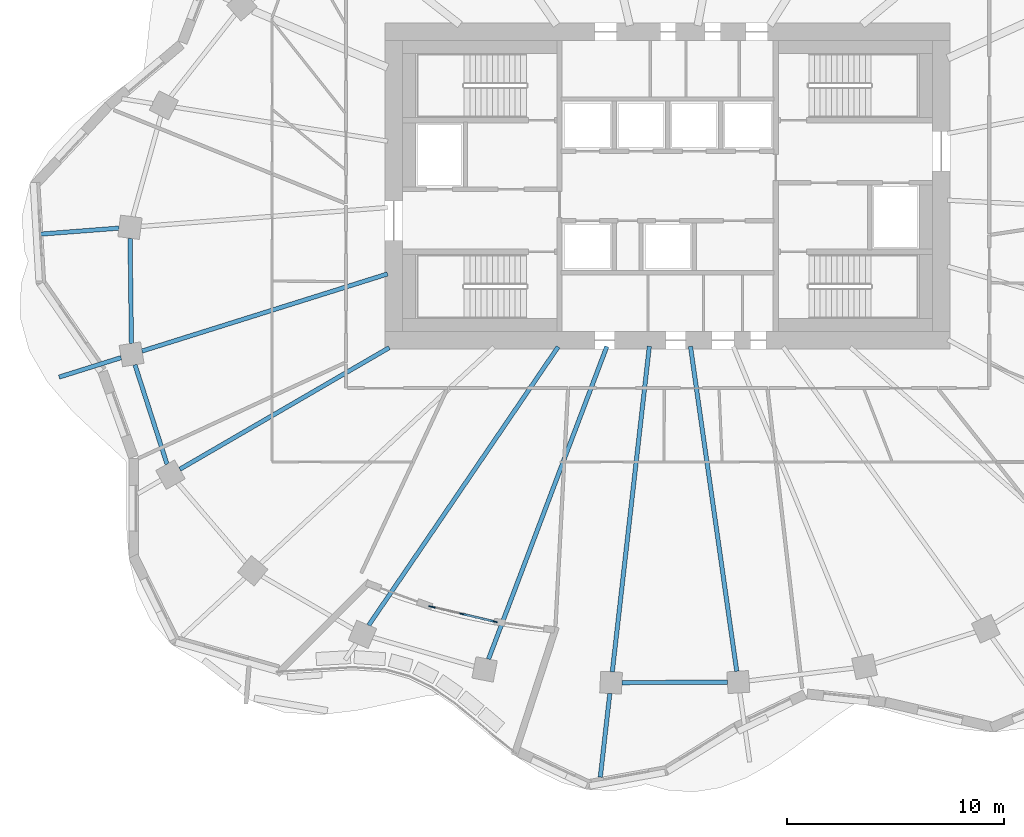
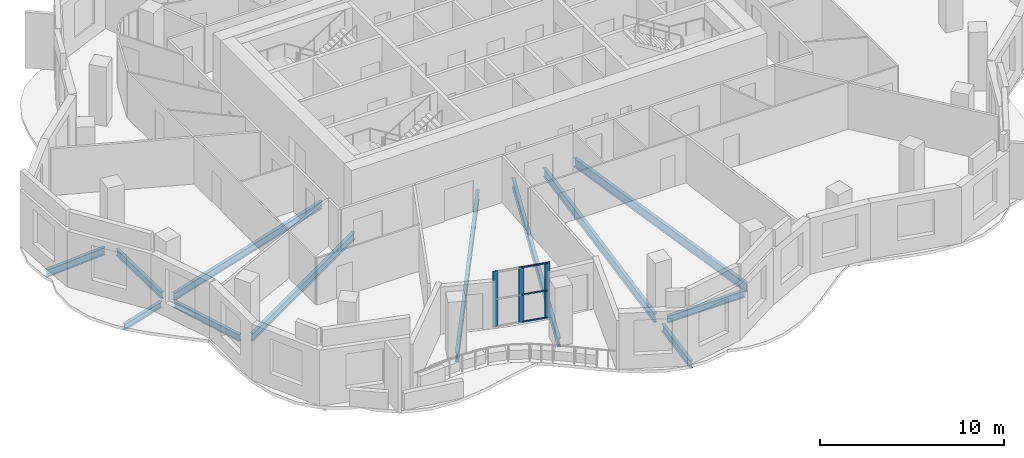
# One storey, part 2 of 13: 12 beams, 6 members, 1 element without a shape of its own.
"""IFC4 building model written with IfcOpenShell, lengths in metres."""

from ifc_helpers import new_model, si_unit, direction, frame, origin, origin_2d, place, context, subcontext, project, spatial, rectangle, i_section, extrude, material, material_profile, profile_set, type_object, element, aggregate, save


model = new_model("IFC4")

# Units and contexts
model_context = context("Model", 3, precision=1e-05, world=origin(), true_north=direction((0.0, 1.0)))
body_context = subcontext(model_context, "Body", "Model", "MODEL_VIEW")
ifc_project = project(units=[si_unit("LENGTHUNIT", "METRE"), si_unit("AREAUNIT", "SQUARE_METRE"), si_unit("VOLUMEUNIT", "CUBIC_METRE"), si_unit("PLANEANGLEUNIT", "RADIAN"), si_unit("MASSUNIT", "GRAM", prefix="KILO")], contexts=[model_context])

# Site, building, storey
site_placement = place(None, origin())
site = spatial("IfcSite", under=ifc_project, at=site_placement, CompositionType="ELEMENT")
building_placement = place(site_placement, origin())
building = spatial("IfcBuilding", under=site, at=building_placement, Name="Rubra Terraces Tower", CompositionType="ELEMENT")
storey_placement = place(building_placement, frame((0.0, 0.0, 252.60009765625)))
storey = spatial("IfcBuildingStorey", under=building, at=storey_placement, Name="L62", CompositionType="ELEMENT", Elevation=252.60009765625)

# Beams
ifc_material_1 = material(Name="Steel Q355B", Category="steel")
ifc_material_profile_1 = material_profile(ifc_material_1, i_section(OverallWidth=0.199951171875, OverallDepth=0.39990234375, WebThickness=0.008056640625, FlangeThickness=0.012939453125, at=origin_2d()), Name="HN 400x200x8x13")
ifc_profile_set_1 = profile_set([ifc_material_profile_1], Name="Steel Q355B")
beam_type_1 = type_object("IfcBeamType", Name="CANTILEVER BEAM HN 400x200x8x13", PredefinedType="BEAM", material=ifc_profile_set_1)
beam_1_placement = place(storey_placement, frame((-25.15087890625, -3.39892578125, -0.400146484375), z_axis=(-0.953969672144, -0.299903092065, 0.0), x_axis=(0.299903092065, -0.953969672144, 0.0)))
element("IfcBeam", 1, at=beam_1_placement, inside=storey, type_object=beam_type_1, Name="beam-L62-cant-13", PredefinedType="BEAM", context=body_context, shape_type="SweptSolid", body=[
    extrude(i_section(OverallWidth=0.199951171875, OverallDepth=0.39990234375, WebThickness=0.008056640625, FlangeThickness=0.012939453125, at=origin_2d()), origin(), (0.0, 0.0, 1.0), 2.987548828125),
])
ifc_material_profile_2 = material_profile(ifc_material_1, i_section(OverallWidth=0.198974609375, OverallDepth=0.49609375, WebThickness=0.009033203125, FlangeThickness=0.013916015625, at=origin_2d()), Name="HN 496x199x9x14")
ifc_profile_set_2 = profile_set([ifc_material_profile_2], Name="Steel Q355B")
beam_type_2 = type_object("IfcBeamType", Name="CANTILEVER BEAM HN 496x199x9x14", PredefinedType="BEAM", material=ifc_profile_set_2)
beam_2_placement = place(storey_placement, frame((-25.251953125, 2.56005859375, -0.447998046875), z_axis=(-0.997068393292, -0.076515482732, 0.0), x_axis=(0.076515482732, -0.997068393292, 0.0)))
element("IfcBeam", 2, at=beam_2_placement, inside=storey, type_object=beam_type_2, Name="beam-L62-cant-12", PredefinedType="BEAM", context=body_context, shape_type="SweptSolid", body=[
    extrude(i_section(OverallWidth=0.198974609375, OverallDepth=0.49609375, WebThickness=0.009033203125, FlangeThickness=0.013916015625, at=origin_2d()), origin(), (0.0, 0.0, 1.0), 3.816162109375),
])
beam_3_placement = place(storey_placement, frame((-2.658935546875, -18.85595703125, -0.447998046875), z_axis=(-0.113002967093, -0.993594650463, 0.0), x_axis=(0.993594650463, -0.113002967093, 0.0)))
element("IfcBeam", 3, at=beam_3_placement, inside=storey, type_object=beam_type_2, Name="beam-L62-cant-18", PredefinedType="BEAM", context=body_context, shape_type="SweptSolid", body=[
    extrude(i_section(OverallWidth=0.198974609375, OverallDepth=0.49609375, WebThickness=0.009033203125, FlangeThickness=0.013916015625, at=origin_2d()), origin(), (0.0, 0.0, 1.0), 3.8759765625),
])
ifc_material_profile_3 = material_profile(ifc_material_1, i_section(OverallWidth=0.198974609375, OverallDepth=0.49609375, WebThickness=0.009033203125, FlangeThickness=0.013916015625, at=origin_2d()), Name="HN 496x199x9x14")
ifc_profile_set_3 = profile_set([ifc_material_profile_3], Name="Steel Q355B")
beam_type_3 = type_object("IfcBeamType", Name="FLOOR BEAM HN 496x199x9x14", PredefinedType="BEAM", material=ifc_profile_set_3)
beam_4_placement = place(storey_placement, frame((-24.18701171875, -3.096923828125, -0.447998046875), z_axis=(0.954040699023, 0.299677067204, 0.0), x_axis=(-0.299677067204, 0.954040699023, 0.0)))
element("IfcBeam", 4, at=beam_4_placement, inside=storey, type_object=beam_type_3, Name="beam-L62-floor-13", PredefinedType="BEAM", context=body_context, shape_type="SweptSolid", body=[
    extrude(i_section(OverallWidth=0.198974609375, OverallDepth=0.49609375, WebThickness=0.009033203125, FlangeThickness=0.013916015625, at=origin_2d()), origin(), (0.0, 0.0, 1.0), 11.845458984375),
])
beam_5_placement = place(storey_placement, frame((-22.447021484375, -8.535888671875, -0.447998046875), z_axis=(0.864755491844, 0.502193129508, 0.0), x_axis=(-0.502193129508, 0.864755491844, 0.0)))
element("IfcBeam", 5, at=beam_5_placement, inside=storey, type_object=beam_type_3, Name="beam-L62-floor-14", PredefinedType="BEAM", context=body_context, shape_type="SweptSolid", body=[
    extrude(i_section(OverallWidth=0.198974609375, OverallDepth=0.49609375, WebThickness=0.009033203125, FlangeThickness=0.013916015625, at=origin_2d()), origin(), (0.0, 0.0, 1.0), 11.14306640625),
])
ifc_material_profile_4 = material_profile(ifc_material_1, i_section(OverallWidth=0.198974609375, OverallDepth=0.595947265625, WebThickness=0.010009765625, FlangeThickness=0.014892578125, at=origin_2d()), Name="HN 596x199x10x15")
ifc_profile_set_4 = profile_set([ifc_material_profile_4], Name="Steel Q355B")
beam_type_4 = type_object("IfcBeamType", Name="FLOOR BEAM HN 596x199x10x15", PredefinedType="BEAM", material=ifc_profile_set_4)
beam_6_placement = place(storey_placement, frame((-13.7548828125, -15.715087890625, -0.498046875), z_axis=(0.562545242124, 0.826766503049, 0.0), x_axis=(-0.826766503049, 0.562545242124, 0.0)))
element("IfcBeam", 6, at=beam_6_placement, inside=storey, type_object=beam_type_4, Name="beam-L62-floor-16", PredefinedType="BEAM", context=body_context, shape_type="SweptSolid", body=[
    extrude(i_section(OverallWidth=0.198974609375, OverallDepth=0.595947265625, WebThickness=0.010009765625, FlangeThickness=0.014892578125, at=origin_2d()), origin(), (0.0, 0.0, 1.0), 15.499267578125),
])
beam_7_placement = place(storey_placement, frame((-8.241943359375, -17.27490234375, -0.498046875), z_axis=(0.353955134415, 0.93526240319, 0.0), x_axis=(-0.93526240319, 0.353955134415, 0.0)))
element("IfcBeam", 7, at=beam_7_placement, inside=storey, type_object=beam_type_4, Name="beam-L62-floor-17", PredefinedType="BEAM", context=body_context, shape_type="SweptSolid", body=[
    extrude(i_section(OverallWidth=0.198974609375, OverallDepth=0.595947265625, WebThickness=0.010009765625, FlangeThickness=0.014892578125, at=origin_2d()), origin(), (0.0, 0.0, 1.0), 15.3828125),
])
beam_8_placement = place(storey_placement, frame((-2.544921875, -17.860107421875, -0.498046875), z_axis=(0.113084825914, 0.993585337124, 0.0), x_axis=(-0.993585337124, 0.113084825914, 0.0)))
element("IfcBeam", 8, at=beam_8_placement, inside=storey, type_object=beam_type_4, Name="beam-L62-floor-18", PredefinedType="BEAM", context=body_context, shape_type="SweptSolid", body=[
    extrude(i_section(OverallWidth=0.198974609375, OverallDepth=0.595947265625, WebThickness=0.010009765625, FlangeThickness=0.014892578125, at=origin_2d()), origin(), (0.0, 0.0, 1.0), 15.07568359375),
])
beam_9_placement = place(storey_placement, frame((3.18310546875, -17.8330078125, -0.498046875), z_axis=(-0.141104514479, 0.989994705033, 0.0), x_axis=(-0.989994705033, -0.141104514479, 0.0)))
element("IfcBeam", 9, at=beam_9_placement, inside=storey, type_object=beam_type_4, Name="beam-L62-floor-19", PredefinedType="BEAM", context=body_context, shape_type="SweptSolid", body=[
    extrude(i_section(OverallWidth=0.198974609375, OverallDepth=0.595947265625, WebThickness=0.010009765625, FlangeThickness=0.014892578125, at=origin_2d()), origin(), (0.0, 0.0, 1.0), 15.10302734375),
])
ifc_material_profile_5 = material_profile(ifc_material_1, i_section(OverallWidth=0.198974609375, OverallDepth=0.446044921875, WebThickness=0.008056640625, FlangeThickness=0.011962890625, at=origin_2d()), Name="HN 446x199x8x12")
ifc_profile_set_5 = profile_set([ifc_material_profile_5], Name="Steel Q355B")
beam_type_5 = type_object("IfcBeamType", Name="SPANDREL BEAM HN 446x199x8x12", PredefinedType="SPANDREL", material=ifc_profile_set_5)
beam_10_placement = place(storey_placement, frame((-24.737060546875, 2.093994140625, -0.423095703125), z_axis=(0.012822047643, -0.999917794168, 0.0), x_axis=(0.999917794168, 0.012822047643, 0.0)))
element("IfcBeam", 10, at=beam_10_placement, inside=storey, type_object=beam_type_5, Name="beam-L62-spandrel-12", PredefinedType="SPANDREL", context=body_context, shape_type="SweptSolid", body=[
    extrude(i_section(OverallWidth=0.198974609375, OverallDepth=0.446044921875, WebThickness=0.008056640625, FlangeThickness=0.011962890625, at=origin_2d()), origin(), (0.0, 0.0, 1.0), 4.83642578125),
])
beam_11_placement = place(storey_placement, frame((-24.512939453125, -3.72900390625, -0.423095703125), z_axis=(0.307359002872, -0.951593633519, 0.0), x_axis=(0.951593633519, 0.307359002872, 0.0)))
element("IfcBeam", 11, at=beam_11_placement, inside=storey, type_object=beam_type_5, Name="beam-L62-spandrel-13", PredefinedType="SPANDREL", context=body_context, shape_type="SweptSolid", body=[
    extrude(i_section(OverallWidth=0.198974609375, OverallDepth=0.446044921875, WebThickness=0.008056640625, FlangeThickness=0.011962890625, at=origin_2d()), origin(), (0.0, 0.0, 1.0), 4.8056640625),
])
beam_12_placement = place(storey_placement, frame((-2.10107421875, -18.35595703125, -0.423095703125), z_axis=(0.999987852299, 0.004929021704, 0.0), x_axis=(-0.004929021704, 0.999987852299, 0.0)))
element("IfcBeam", 12, at=beam_12_placement, inside=storey, type_object=beam_type_5, Name="beam-L62-spandrel-18", PredefinedType="SPANDREL", context=body_context, shape_type="SweptSolid", body=[
    extrude(i_section(OverallWidth=0.198974609375, OverallDepth=0.446044921875, WebThickness=0.008056640625, FlangeThickness=0.011962890625, at=origin_2d()), origin(), (0.0, 0.0, 1.0), 4.85400390625),
])

# Curtain wall, members
ifc_material_2 = material(Name="Aluminium and glass", Category="aluminium")
curtain_wall_type = type_object("IfcCurtainWallType", Name="Curtain wall Terrace glazing", PredefinedType="NOTDEFINED", material=ifc_material_2)
curtain_wall_placement = place(storey_placement, origin())
curtain_wall = element("IfcCurtainWall", 13, at=curtain_wall_placement, inside=storey, type_object=curtain_wall_type, Name="Terrace glazing L62", PredefinedType="NOTDEFINED")
ifc_material_3 = material(Name="Aluminium, anodised dark grey", Category="aluminium")
ifc_material_profile_6 = material_profile(ifc_material_3, rectangle(XDim=0.050048828125, YDim=0.300048828125, at=origin_2d()), Name="AL 50x300")
ifc_profile_set_6 = profile_set([ifc_material_profile_6], Name="Aluminium, anodised dark grey")
member_type_1 = type_object("IfcMemberType", Name="Terrace glazing mullion 50 x 300", PredefinedType="MULLION", material=ifc_profile_set_6)
member_1_placement = place(storey_placement, frame((-10.846435546875, -14.86865234375, 0.0), z_axis=(0.0, 0.0, 1.0), x_axis=(0.228890116883, 0.973452266109, 0.0)))
member_1 = element("IfcMember", 14, at=member_1_placement, type_object=member_type_1, Name="CW3 mullion 1", PredefinedType="MULLION", context=body_context, shape_type="SweptSolid", body=[
    extrude(rectangle(XDim=0.050048828125, YDim=0.300048828125, at=origin_2d()), origin(), (0.0, 0.0, 1.0), 3.699951171875),
])
member_2_placement = place(storey_placement, frame((-9.416259765625, -15.205078125, 0.0), z_axis=(0.0, 0.0, 1.0), x_axis=(0.228890116883, 0.973452266109, 0.0)))
member_2 = element("IfcMember", 15, at=member_2_placement, type_object=member_type_1, Name="CW3 mullion 2", PredefinedType="MULLION", context=body_context, shape_type="SweptSolid", body=[
    extrude(rectangle(XDim=0.050048828125, YDim=0.300048828125, at=origin_2d()), origin(), (0.0, 0.0, 1.0), 3.699951171875),
])
member_3_placement = place(storey_placement, frame((-7.986083984375, -15.541259765625, 0.0), z_axis=(0.0, 0.0, 1.0), x_axis=(0.228890116883, 0.973452266109, 0.0)))
member_3 = element("IfcMember", 16, at=member_3_placement, type_object=member_type_1, Name="CW3 mullion 3", PredefinedType="MULLION", context=body_context, shape_type="SweptSolid", body=[
    extrude(rectangle(XDim=0.050048828125, YDim=0.300048828125, at=origin_2d()), origin(), (0.0, 0.0, 1.0), 3.699951171875),
])
ifc_material_profile_7 = material_profile(ifc_material_3, rectangle(XDim=0.10009765625, YDim=0.050048828125, at=origin_2d()), Name="AL 100x50")
ifc_profile_set_7 = profile_set([ifc_material_profile_7], Name="Aluminium, anodised dark grey")
member_type_2 = type_object("IfcMemberType", Name="Terrace glazing transom 100 x 50", PredefinedType="USERDEFINED", material=ifc_profile_set_7)
member_4_placement = place(storey_placement, frame((-9.391845703125, -15.210693359375, 0.0498046875), z_axis=(0.973437468014, -0.228953042928, 0.0), x_axis=(0.228953042928, 0.973437468014, 0.0)))
member_4 = element("IfcMember", 17, at=member_4_placement, type_object=member_type_2, Name="CW3 transom 2.1", ObjectType="TRANSOM", PredefinedType="USERDEFINED", context=body_context, shape_type="SweptSolid", body=[
    extrude(rectangle(XDim=0.10009765625, YDim=0.050048828125, at=origin_2d()), origin(), (0.0, 0.0, 1.0), 1.419189453125),
])
member_5_placement = place(storey_placement, frame((-9.391845703125, -15.210693359375, 1.849853515625), z_axis=(0.973437468014, -0.228953042928, 0.0), x_axis=(0.228953042928, 0.973437468014, 0.0)))
member_5 = element("IfcMember", 18, at=member_5_placement, type_object=member_type_2, Name="CW3 transom 2.2", ObjectType="TRANSOM", PredefinedType="USERDEFINED", context=body_context, shape_type="SweptSolid", body=[
    extrude(rectangle(XDim=0.10009765625, YDim=0.050048828125, at=origin_2d()), origin(), (0.0, 0.0, 1.0), 1.419189453125),
])
member_6_placement = place(storey_placement, frame((-9.391845703125, -15.210693359375, 3.64990234375), z_axis=(0.973437468014, -0.228953042928, 0.0), x_axis=(0.228953042928, 0.973437468014, 0.0)))
member_6 = element("IfcMember", 19, at=member_6_placement, type_object=member_type_2, Name="CW3 transom 2.3", ObjectType="TRANSOM", PredefinedType="USERDEFINED", context=body_context, shape_type="SweptSolid", body=[
    extrude(rectangle(XDim=0.10009765625, YDim=0.050048828125, at=origin_2d()), origin(), (0.0, 0.0, 1.0), 1.419189453125),
])
aggregate(curtain_wall, [member_1, member_2, member_3, member_4, member_5, member_6])

save(model, "model.ifc")
